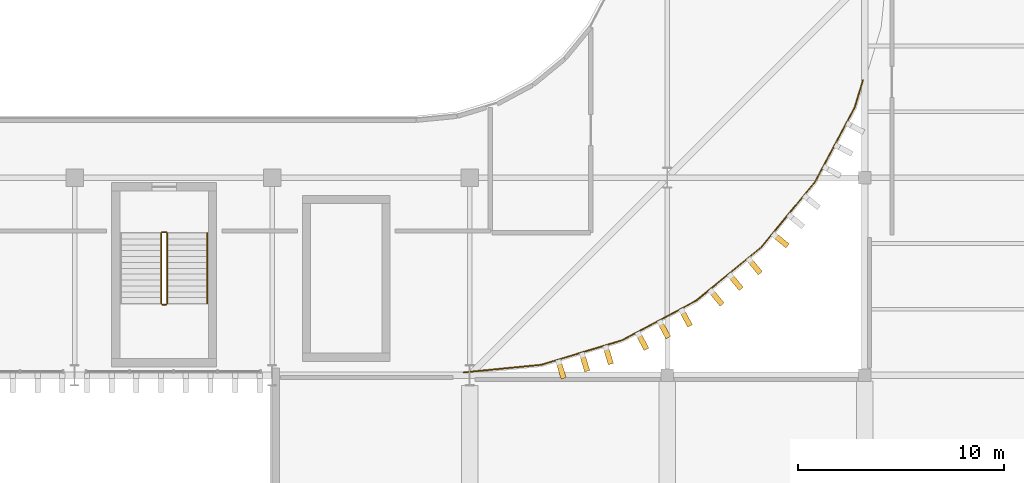
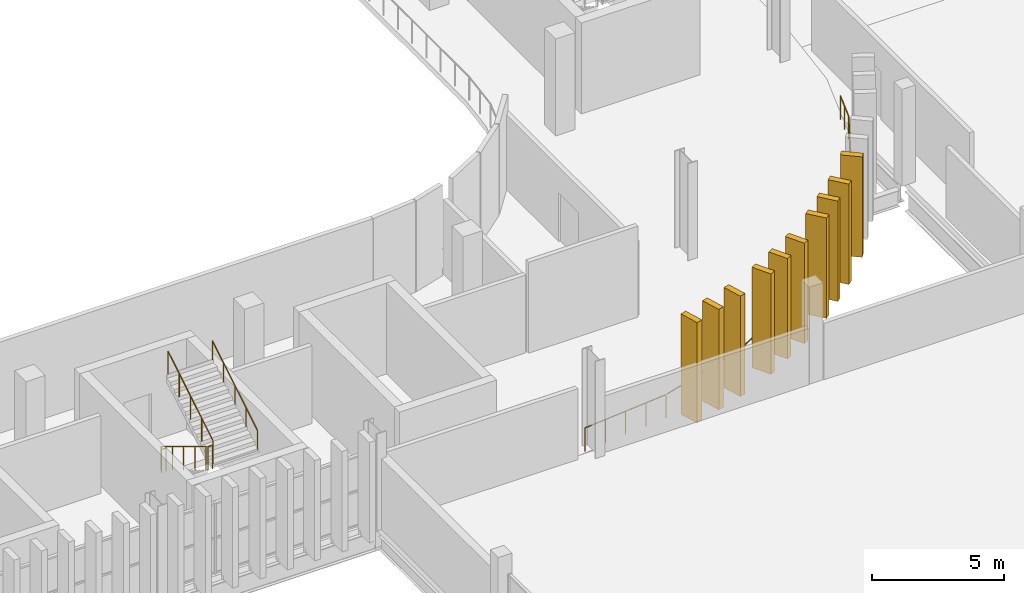
# One storey, part 84 of 92: 10 coverings, 6 railings.
"""IFC4 building model written with IfcOpenShell, lengths in metres."""

from ifc_helpers import new_model, si_unit, direction, frame, origin, origin_2d, place, context, subcontext, project, spatial, rectangle, circle, extrude, material, material_profile, profile_set, type_object, element, save


model = new_model("IFC4")

# Units and contexts
model_context = context("Model", 3, precision=1e-05, world=origin(), true_north=direction((0.0, 1.0)))
body_context = subcontext(model_context, "Body", "Model", "MODEL_VIEW")
ifc_project = project(units=[si_unit("LENGTHUNIT", "METRE"), si_unit("AREAUNIT", "SQUARE_METRE"), si_unit("VOLUMEUNIT", "CUBIC_METRE"), si_unit("PLANEANGLEUNIT", "RADIAN"), si_unit("MASSUNIT", "GRAM", prefix="KILO")], contexts=[model_context])

# Site, building, storey
site_placement = place(None, origin())
site = spatial("IfcSite", under=ifc_project, at=site_placement, CompositionType="ELEMENT")
building_placement = place(site_placement, origin())
building = spatial("IfcBuilding", under=site, at=building_placement, Name="Caelomonte Colonnade Arena", CompositionType="ELEMENT")
storey_placement = place(building_placement, frame((0.0, 0.0, 9.60009765625)))
storey = spatial("IfcBuildingStorey", under=building, at=storey_placement, Name="L02", CompositionType="ELEMENT", Elevation=9.60009765625)

# Coverings
ifc_material_1 = material(Name="Precast travertine cladding", Category="masonry")
ifc_material_profile = material_profile(ifc_material_1, rectangle(XDim=0.260009765625, YDim=0.85009765625, at=origin_2d()), Name="FIN260X850")
ifc_profile_set = profile_set([ifc_material_profile], Name="Precast travertine cladding")
covering_type = type_object("IfcCoveringType", Name="ENV-FN-SHAFT", PredefinedType="CLADDING", material=ifc_profile_set)
for number, where, z_axis, x_axis, name in (
    (1, (148.4404296875, 19.44970703125, -0.16015625), (0.0, 0.0, 1.0), (-0.956942868907, -0.290276326364, 0.0), "V1 L02 classical travertine vertical fin 4"),
    (2, (149.5888671875, 19.798095703125, -0.16015625), (0.0, 0.0, 1.0), (-0.956942868907, -0.290276326364, 0.0), "V1 L02 classical travertine vertical fin 5"),
    (3, (150.7373046875, 20.146484375, -0.16015625), (0.0, 0.0, 1.0), (-0.956942868907, -0.290276326364, 0.0), "V1 L02 classical travertine vertical fin 6"),
    (4, (152.391845703125, 20.831787109375, -0.16015625), (0.0, 0.0, 1.0), (-0.881921264348, -0.471396736826, 0.0), "V1 L02 classical travertine vertical fin 7"),
    (5, (153.4501953125, 21.3974609375, -0.16015625), (0.0, 0.0, 1.0), (-0.881921264348, -0.471396736826, 0.0), "V1 L02 classical travertine vertical fin 8"),
    (6, (154.508544921875, 21.963134765625, -0.16015625), (0.0, 0.0, 1.0), (-0.881921264348, -0.471396736826, 0.0), "V1 L02 classical travertine vertical fin 9"),
    (7, (155.99755859375, 22.958251953125, -0.16015625), (0.0, 0.0, 1.0), (-0.77299384472, -0.634413521313, 0.0), "V1 L02 classical travertine vertical fin 10"),
    (8, (156.92529296875, 23.719482421875, -0.16015625), (0.0, 0.0, 1.0), (-0.77299384472, -0.634413521313, 0.0), "V1 L02 classical travertine vertical fin 11"),
    (9, (157.852783203125, 24.480712890625, -0.16015625), (0.0, 0.0, 1.0), (-0.77299384472, -0.634413521313, 0.0), "V1 L02 classical travertine vertical fin 12"),
    (10, (159.119140625, 25.747314453125, -0.16015625), (0.0, 0.0, 1.0), (-0.634413521313, -0.77299384472, 0.0), "V1 L02 classical travertine vertical fin 13"),
):
    element("IfcCovering", number, at=place(storey_placement, frame(where, z_axis=z_axis, x_axis=x_axis)), inside=storey, type_object=covering_type, Name=name, PredefinedType="CLADDING", context=body_context, shape_type="SweptSolid", body=[
        extrude(rectangle(XDim=0.260009765625, YDim=0.85009765625, at=origin_2d()), origin(), (0.0, 0.0, 1.0), 4.66015625),
    ])

# Railings
ifc_material_2 = material(Name="Painted galvanized steel handrail and posts", Category="steel")
railing_type_1 = type_object("IfcRailingType", Name="ENV-RL-GRD1", PredefinedType="GUARDRAIL", material=ifc_material_2)
railing_1_placement = place(storey_placement, frame((163.111083984375, 33.52880859375, 0.0)))
element("IfcRailing", 11, at=railing_1_placement, inside=storey, type_object=railing_type_1, Name="L02 SE colonnade loggia perimeter guard 1", PredefinedType="GUARDRAIL", context=body_context, shape_type="SweptSolid", body=[
    extrude(circle(Radius=0.02392578125, at=origin_2d()), frame((0.0, 0.0, 1.076171875), z_axis=(-0.290222447422, -0.956959210736, 0.0), x_axis=(0.956959210736, -0.290222447422, 0.0)), (0.0, 0.0, 1.0), 1.35498046875),
    extrude(circle(Radius=0.02392578125, at=origin_2d()), frame((-0.4169921875, -1.354248046875, 1.076171875), z_axis=(-0.471407637126, -0.88191543793, 0.0), x_axis=(0.88191543793, -0.471407637126, 0.0)), (0.0, 0.0, 1.0), 4.03466796875),
    extrude(circle(Radius=0.02392578125, at=origin_2d()), frame((-2.353515625, -4.964111328125, 1.076171875), z_axis=(-0.634434399082, -0.772976709391, 0.0), x_axis=(0.772976709391, -0.634434399082, 0.0)), (0.0, 0.0, 1.0), 4.03466796875),
    extrude(circle(Radius=0.02392578125, at=origin_2d()), frame((-4.957275390625, -8.126708984375, 1.076171875), z_axis=(-0.77295272311, -0.634463622154, 0.0), x_axis=(0.634463622154, -0.77295272311, 0.0)), (0.0, 0.0, 1.0), 4.034423828125),
    extrude(circle(Radius=0.02392578125, at=origin_2d()), frame((-8.12744140625, -10.720947265625, 1.076171875), z_axis=(-0.881940210989, -0.471361288441, 0.0), x_axis=(0.471361288441, -0.881940210989, 0.0)), (0.0, 0.0, 1.0), 4.034423828125),
    extrude(circle(Radius=0.02392578125, at=origin_2d()), frame((-11.7431640625, -12.646484375, 1.076171875), z_axis=(-0.95694769148, -0.290260427498, 0.0), x_axis=(0.290260427498, -0.95694769148, 0.0)), (0.0, 0.0, 1.0), 4.034423828125),
    extrude(circle(Radius=0.02392578125, at=origin_2d()), frame((-15.664794921875, -13.829833984375, 1.076171875), z_axis=(-0.995182698904, -0.098037726419, 0.0), x_axis=(0.098037726419, -0.995182698904, 0.0)), (0.0, 0.0, 1.0), 3.761474609375),
    extrude(circle(Radius=0.02099609375, at=origin_2d()), origin(), (0.0, 0.0, 1.0), 1.048095703125),
    extrude(circle(Radius=0.02099609375, at=origin_2d()), frame((-0.201171875, -0.663330078125, 0.0)), (0.0, 0.0, 1.0), 1.048095703125),
    extrude(circle(Radius=0.02099609375, at=origin_2d()), frame((-0.40234375, -1.32666015625, 0.0)), (0.0, 0.0, 1.0), 1.048095703125),
    extrude(circle(Radius=0.02099609375, at=origin_2d()), frame((-0.88525390625, -2.22998046875, 0.0)), (0.0, 0.0, 1.0), 1.048095703125),
    extrude(circle(Radius=0.02099609375, at=origin_2d()), frame((-1.3681640625, -3.13330078125, 0.0)), (0.0, 0.0, 1.0), 1.048095703125),
    extrude(circle(Radius=0.02099609375, at=origin_2d()), frame((-1.850830078125, -4.03662109375, 0.0)), (0.0, 0.0, 1.0), 1.048095703125),
    extrude(circle(Radius=0.02099609375, at=origin_2d()), frame((-2.333740234375, -4.93994140625, 0.0)), (0.0, 0.0, 1.0), 1.048095703125),
    extrude(circle(Radius=0.02099609375, at=origin_2d()), frame((-2.983642578125, -5.731689453125, 0.0)), (0.0, 0.0, 1.0), 1.048095703125),
    extrude(circle(Radius=0.02099609375, at=origin_2d()), frame((-3.63330078125, -6.5234375, 0.0)), (0.0, 0.0, 1.0), 1.048095703125),
    extrude(circle(Radius=0.02099609375, at=origin_2d()), frame((-4.283203125, -7.315185546875, 0.0)), (0.0, 0.0, 1.0), 1.048095703125),
    extrude(circle(Radius=0.02099609375, at=origin_2d()), frame((-4.93310546875, -8.10693359375, 0.0)), (0.0, 0.0, 1.0), 1.048095703125),
    extrude(circle(Radius=0.02099609375, at=origin_2d()), frame((-5.724853515625, -8.7568359375, 0.0)), (0.0, 0.0, 1.0), 1.048095703125),
    extrude(circle(Radius=0.02099609375, at=origin_2d()), frame((-6.5166015625, -9.40673828125, 0.0)), (0.0, 0.0, 1.0), 1.048095703125),
    extrude(circle(Radius=0.02099609375, at=origin_2d()), frame((-7.30810546875, -10.056396484375, 0.0)), (0.0, 0.0, 1.0), 1.048095703125),
    extrude(circle(Radius=0.02099609375, at=origin_2d()), frame((-8.099853515625, -10.706298828125, 0.0)), (0.0, 0.0, 1.0), 1.048095703125),
    extrude(circle(Radius=0.02099609375, at=origin_2d()), frame((-9.003173828125, -11.18896484375, 0.0)), (0.0, 0.0, 1.0), 1.048095703125),
    extrude(circle(Radius=0.02099609375, at=origin_2d()), frame((-9.906494140625, -11.671875, 0.0)), (0.0, 0.0, 1.0), 1.048095703125),
    extrude(circle(Radius=0.02099609375, at=origin_2d()), frame((-10.809814453125, -12.15478515625, 0.0)), (0.0, 0.0, 1.0), 1.048095703125),
    extrude(circle(Radius=0.02099609375, at=origin_2d()), frame((-11.713134765625, -12.637451171875, 0.0)), (0.0, 0.0, 1.0), 1.048095703125),
    extrude(circle(Radius=0.02099609375, at=origin_2d()), frame((-12.693359375, -12.934814453125, 0.0)), (0.0, 0.0, 1.0), 1.048095703125),
    extrude(circle(Radius=0.02099609375, at=origin_2d()), frame((-13.67333984375, -13.23193359375, 0.0)), (0.0, 0.0, 1.0), 1.048095703125),
    extrude(circle(Radius=0.02099609375, at=origin_2d()), frame((-14.653564453125, -13.529296875, 0.0)), (0.0, 0.0, 1.0), 1.048095703125),
    extrude(circle(Radius=0.02099609375, at=origin_2d()), frame((-15.6337890625, -13.82666015625, 0.0)), (0.0, 0.0, 1.0), 1.048095703125),
    extrude(circle(Radius=0.02099609375, at=origin_2d()), frame((-16.577392578125, -13.919677734375, 0.0)), (0.0, 0.0, 1.0), 1.048095703125),
    extrude(circle(Radius=0.02099609375, at=origin_2d()), frame((-17.52099609375, -14.0126953125, 0.0)), (0.0, 0.0, 1.0), 1.048095703125),
    extrude(circle(Radius=0.02099609375, at=origin_2d()), frame((-18.464599609375, -14.10546875, 0.0)), (0.0, 0.0, 1.0), 1.048095703125),
    extrude(circle(Radius=0.02099609375, at=origin_2d()), frame((-19.408203125, -14.198486328125, 0.0)), (0.0, 0.0, 1.0), 1.048095703125),
])
ifc_material_3 = material(Name="Painted galvanized steel stair guard", Category="steel")
railing_type_2 = type_object("IfcRailingType", Name="INT-RL-GRD", PredefinedType="GUARDRAIL", material=ifc_material_3)
railing_2_placement = place(storey_placement, frame((129.0, 26.10009765625, 0.173095703125)))
element("IfcRailing", 12, at=railing_2_placement, inside=storey, type_object=railing_type_2, Name="L02 ST-13 stair guard 1", PredefinedType="GUARDRAIL", context=body_context, shape_type="SweptSolid", body=[
    extrude(circle(Radius=0.02392578125, at=origin_2d()), frame((0.0, 0.0, 1.076171875), z_axis=(0.0, -0.854745945586, 0.519046595696), x_axis=(1.0, 0.0, 0.0)), (0.0, 0.0, 1.0), 4.00146484375),
    extrude(circle(Radius=0.02099609375, at=origin_2d()), origin(), (0.0, 0.0, 1.0), 1.048095703125),
    extrude(circle(Radius=0.02099609375, at=origin_2d()), frame((0.0, -0.85498046875, 0.519287109375)), (0.0, 0.0, 1.0), 1.048095703125),
    extrude(circle(Radius=0.02099609375, at=origin_2d()), frame((0.0, -1.7099609375, 1.03857421875)), (0.0, 0.0, 1.0), 1.048095703125),
    extrude(circle(Radius=0.02099609375, at=origin_2d()), frame((0.0, -2.565185546875, 1.5576171875)), (0.0, 0.0, 1.0), 1.048095703125),
    extrude(circle(Radius=0.02099609375, at=origin_2d()), frame((0.0, -3.420166015625, 2.076904296875)), (0.0, 0.0, 1.0), 1.048095703125),
])
railing_3_placement = place(storey_placement, frame((129.050048828125, 22.6298828125, 2.25)))
element("IfcRailing", 13, at=railing_3_placement, inside=storey, type_object=railing_type_2, Name="L02 ST-13 stair guard 2", PredefinedType="GUARDRAIL", context=body_context, shape_type="SweptSolid", body=[
    extrude(circle(Radius=0.02392578125, at=origin_2d()), frame((0.0, 0.0, 1.076171875), z_axis=(1.0, 0.0, 0.0), x_axis=(0.0, 1.0, 0.0)), (0.0, 0.0, 1.0), 0.199951171875),
    extrude(circle(Radius=0.02099609375, at=origin_2d()), origin(), (0.0, 0.0, 1.0), 1.048095703125),
    extrude(circle(Radius=0.02099609375, at=origin_2d()), frame((0.199951171875, 0.0, 0.0)), (0.0, 0.0, 1.0), 1.048095703125),
])
railing_4_placement = place(storey_placement, frame((129.300048828125, 22.679931640625, 2.423095703125)))
element("IfcRailing", 14, at=railing_4_placement, inside=storey, type_object=railing_type_2, Name="L02 ST-13 stair guard 3", PredefinedType="GUARDRAIL", context=body_context, shape_type="SweptSolid", body=[
    extrude(circle(Radius=0.02392578125, at=origin_2d()), frame((0.0, 0.0, 1.076171875), z_axis=(0.0, 0.854745945586, 0.519046595696), x_axis=(-1.0, 0.0, 0.0)), (0.0, 0.0, 1.0), 4.00146484375),
    extrude(circle(Radius=0.02099609375, at=origin_2d()), origin(), (0.0, 0.0, 1.0), 1.048095703125),
    extrude(circle(Radius=0.02099609375, at=origin_2d()), frame((0.0, 0.85498046875, 0.519287109375)), (0.0, 0.0, 1.0), 1.048095703125),
    extrude(circle(Radius=0.02099609375, at=origin_2d()), frame((0.0, 1.7099609375, 1.03857421875)), (0.0, 0.0, 1.0), 1.048095703125),
    extrude(circle(Radius=0.02099609375, at=origin_2d()), frame((0.0, 2.565185546875, 1.5576171875)), (0.0, 0.0, 1.0), 1.048095703125),
    extrude(circle(Radius=0.02099609375, at=origin_2d()), frame((0.0, 3.420166015625, 2.076904296875)), (0.0, 0.0, 1.0), 1.048095703125),
])
railing_5_placement = place(storey_placement, frame((129.050048828125, 26.14990234375, 0.0)))
element("IfcRailing", 15, at=railing_5_placement, inside=storey, type_object=railing_type_2, Name="L02 ST-13 stair guard 4", PredefinedType="GUARDRAIL", context=body_context, shape_type="SweptSolid", body=[
    extrude(circle(Radius=0.02392578125, at=origin_2d()), frame((0.0, 0.0, 1.076171875), z_axis=(1.0, 0.0, 0.0), x_axis=(0.0, 1.0, 0.0)), (0.0, 0.0, 1.0), 0.199951171875),
    extrude(circle(Radius=0.02099609375, at=origin_2d()), origin(), (0.0, 0.0, 1.0), 1.048095703125),
    extrude(circle(Radius=0.02099609375, at=origin_2d()), frame((0.199951171875, 0.0, 0.0)), (0.0, 0.0, 1.0), 1.048095703125),
])
ifc_material_4 = material(Name="Brushed stainless steel stair handrail", Category="steel")
railing_type_3 = type_object("IfcRailingType", Name="INT-RL-HR", PredefinedType="HANDRAIL", material=ifc_material_4)
railing_6_placement = place(storey_placement, frame((131.25, 22.679931640625, 2.423095703125)))
element("IfcRailing", 16, at=railing_6_placement, inside=storey, type_object=railing_type_3, Name="L02 ST-13 stair handrail 2", PredefinedType="HANDRAIL", context=body_context, shape_type="SweptSolid", body=[
    extrude(circle(Radius=0.02392578125, at=origin_2d()), frame((0.0, 0.0, 0.8759765625), z_axis=(0.0, 0.854745945586, 0.519046595696), x_axis=(-1.0, 0.0, 0.0)), (0.0, 0.0, 1.0), 4.00146484375),
    extrude(circle(Radius=0.02099609375, at=origin_2d()), origin(), (0.0, 0.0, 1.0), 0.847900390625),
    extrude(circle(Radius=0.02099609375, at=origin_2d()), frame((0.0, 0.85498046875, 0.519287109375)), (0.0, 0.0, 1.0), 0.847900390625),
    extrude(circle(Radius=0.02099609375, at=origin_2d()), frame((0.0, 1.7099609375, 1.03857421875)), (0.0, 0.0, 1.0), 0.847900390625),
    extrude(circle(Radius=0.02099609375, at=origin_2d()), frame((0.0, 2.565185546875, 1.5576171875)), (0.0, 0.0, 1.0), 0.847900390625),
    extrude(circle(Radius=0.02099609375, at=origin_2d()), frame((0.0, 3.420166015625, 2.076904296875)), (0.0, 0.0, 1.0), 0.847900390625),
])

save(model, "model.ifc")
